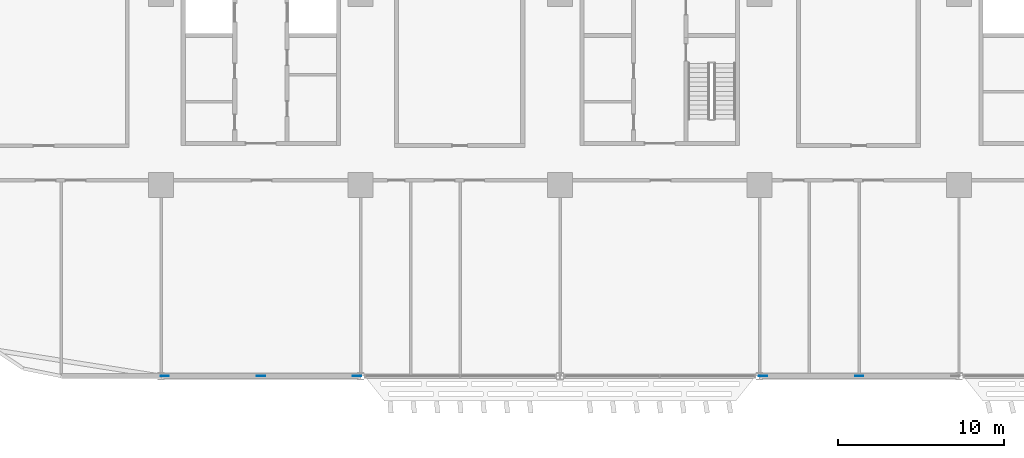
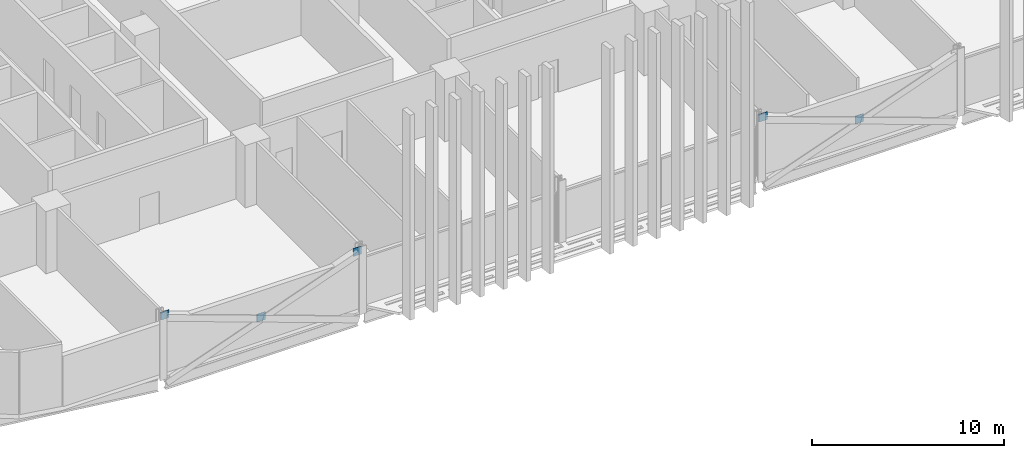
# One storey, part 19 of 29: 5 discrete accessories.
"""IFC4 building model written with IfcOpenShell, lengths in metres."""

from ifc_helpers import new_model, si_unit, direction, frame, origin, origin_2d, place, context, subcontext, project, spatial, rectangle, extrude, material, layer, layer_set, type_object, element, save


model = new_model("IFC4")

# Units and contexts
model_context = context("Model", 3, precision=1e-05, world=origin(), true_north=direction((0.0, 1.0)))
body_context = subcontext(model_context, "Body", "Model", "MODEL_VIEW")
ifc_project = project(units=[si_unit("LENGTHUNIT", "METRE"), si_unit("AREAUNIT", "SQUARE_METRE"), si_unit("VOLUMEUNIT", "CUBIC_METRE"), si_unit("PLANEANGLEUNIT", "RADIAN"), si_unit("MASSUNIT", "GRAM", prefix="KILO")], contexts=[model_context])

# Site, building, storey
site_placement = place(None, origin())
site = spatial("IfcSite", under=ifc_project, at=site_placement, CompositionType="ELEMENT")
building_placement = place(site_placement, origin())
building = spatial("IfcBuilding", under=site, at=building_placement, Name="Mahtab Terrace Research Tower", CompositionType="ELEMENT")
storey_placement = place(building_placement, frame((0.0, 0.0, 63.199951171875)))
storey = spatial("IfcBuildingStorey", under=building, at=storey_placement, Name="L14", CompositionType="ELEMENT", Elevation=63.199951171875)

# Discrete accessories
ifc_material = material(Name="Steel ASTM A992 Gr 50", Category="steel")
ifc_layer = layer(ifc_material, 0.030029296875)
ifc_layer_set = layer_set([ifc_layer], Name="Gusset plate 500x500x30")
discrete_accessory_type = type_object("IfcDiscreteAccessoryType", Name="Gusset plate 500x500x30", PredefinedType="USERDEFINED", material=ifc_layer_set)
for number, where, z_axis, x_axis, name in (
    (1, (-29.787841796875, -23.0, 3.33154296875), (0.0, 0.0, 1.0), (1.0, 0.0, 0.0), "Gusset plate"),
    (2, (-24.0, -23.0, 1.181640625), (0.0, 0.0, 1.0), (1.0, 0.0, 0.0), "Gusset plate"),
    (3, (-18.212158203125, -23.0, 3.33154296875), (0.0, 0.0, 1.0), (1.0, 0.0, 0.0), "Gusset plate"),
    (4, (6.212158203125, -23.0, 3.33154296875), (0.0, 0.0, 1.0), (1.0, 0.0, 0.0), "Gusset plate"),
    (5, (12.0, -23.0, 1.181640625), (0.0, 0.0, 1.0), (1.0, 0.0, 0.0), "Gusset plate"),
):
    element("IfcDiscreteAccessory", number, at=place(storey_placement, frame(where, z_axis=z_axis, x_axis=x_axis)), inside=storey, type_object=discrete_accessory_type, Name=name, ObjectType="GUSSET PLATE", PredefinedType="USERDEFINED", context=body_context, shape_type="SweptSolid", body=[
        extrude(rectangle(XDim=0.5, YDim=0.030029296875, at=origin_2d()), origin(), (0.0, 0.0, 1.0), 0.5),
    ])

save(model, "model.ifc")
